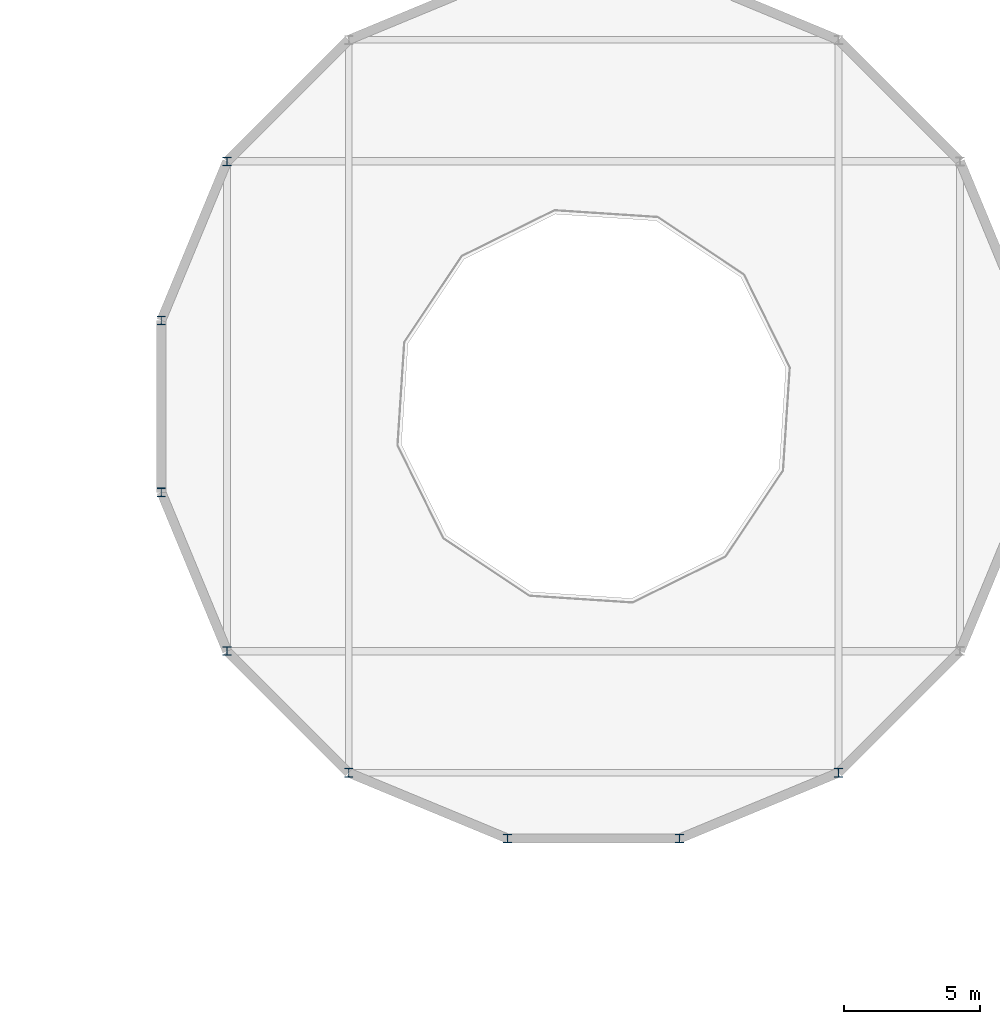
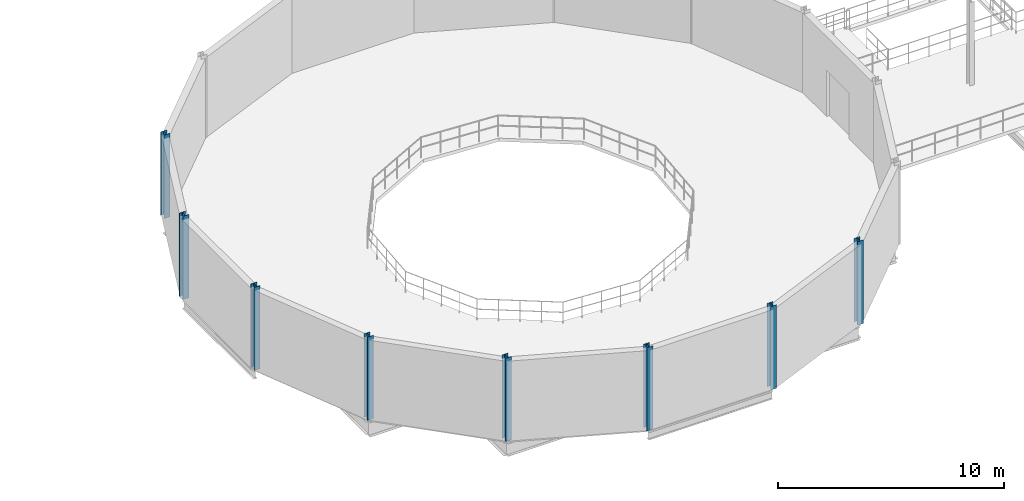
# One storey, part 1 of 130: 8 columns.
"""IFC4 building model written with IfcOpenShell, lengths in metres."""

from ifc_helpers import new_model, si_unit, direction, frame, origin, origin_2d, place, context, subcontext, project, spatial, i_section, extrude, material, material_profile, profile_set, type_object, element, save


model = new_model("IFC4")

# Units and contexts
model_context = context("Model", 3, precision=1e-05, world=origin(), true_north=direction((0.0, 1.0)))
body_context = subcontext(model_context, "Body", "Model", "MODEL_VIEW")
ifc_project = project(units=[si_unit("LENGTHUNIT", "METRE"), si_unit("AREAUNIT", "SQUARE_METRE"), si_unit("VOLUMEUNIT", "CUBIC_METRE"), si_unit("PLANEANGLEUNIT", "RADIAN"), si_unit("MASSUNIT", "GRAM", prefix="KILO"), si_unit("THERMODYNAMICTEMPERATUREUNIT", "KELVIN"), si_unit("POWERUNIT", "WATT")], contexts=[model_context])

# Site, building, storey
site_placement = place(None, origin())
site = spatial("IfcSite", under=ifc_project, at=site_placement, CompositionType="ELEMENT")
building_placement = place(site_placement, origin())
building = spatial("IfcBuilding", under=site, at=building_placement, Name="Tallowbark Science Centre", CompositionType="ELEMENT")
storey_placement = place(building_placement, frame((0.0, 0.0, 5.39990234375)))
storey = spatial("IfcBuildingStorey", under=building, at=storey_placement, Name="L01", CompositionType="ELEMENT", Elevation=5.39990234375)

# Columns
ifc_material = material(Name="Structural Steel Grade 300PLUS (300 MPa)", Category="steel")
ifc_material_profile = material_profile(ifc_material, i_section(OverallWidth=0.307373046875, OverallDepth=0.314697265625, WebThickness=0.011962890625, FlangeThickness=0.018798828125, FilletRadius=0.0166015625, at=origin_2d()), Name="310UC118")
ifc_profile_set = profile_set([ifc_material_profile], Name="Structural Steel Grade 300PLUS (300 MPa)")
column_type = type_object("IfcColumnType", Name="PIL-UC310", PredefinedType="PILASTER", material=ifc_profile_set)
for number, where, z_axis, x_axis, name in (
    (1, (9.0302734375, 27.000244140625, 0.0), (0.0, 0.0, 1.0), (1.0, 0.0, 0.0), "Column DRM-P07 L01"),
    (2, (6.611328125, 21.160400390625, 0.0), (0.0, 0.0, 1.0), (1.0, 0.0, 0.0), "Column DRM-P08 L01"),
    (3, (6.611328125, 14.839599609375, 0.0), (0.0, 0.0, 1.0), (1.0, 0.0, 0.0), "Column DRM-P09 L01"),
    (4, (9.0302734375, 8.999755859375, 0.0), (0.0, 0.0, 1.0), (1.0, 0.0, 0.0), "Column DRM-P10 L01"),
    (5, (13.499755859375, 4.5302734375, 0.0), (0.0, 0.0, 1.0), (1.0, 0.0, 0.0), "Column DRM-P11 L01"),
    (6, (19.339599609375, 2.111328125, 0.0), (0.0, 0.0, 1.0), (1.0, 0.0, 0.0), "Column DRM-P12 L01"),
    (7, (25.660400390625, 2.111328125, 0.0), (0.0, 0.0, 1.0), (1.0, 0.0, 0.0), "Column DRM-P13 L01"),
    (8, (31.500244140625, 4.5302734375, 0.0), (0.0, 0.0, 1.0), (1.0, 0.0, 0.0), "Column DRM-P14 L01"),
):
    element("IfcColumn", number, at=place(storey_placement, frame(where, z_axis=z_axis, x_axis=x_axis)), inside=storey, type_object=column_type, Name=name, PredefinedType="PILASTER", context=body_context, shape_type="SweptSolid", body=[
        extrude(i_section(OverallWidth=0.307373046875, OverallDepth=0.314697265625, WebThickness=0.011962890625, FlangeThickness=0.018798828125, FilletRadius=0.0166015625, at=origin_2d()), origin(), (0.0, 0.0, 1.0), 4.5),
    ])

save(model, "model.ifc")
